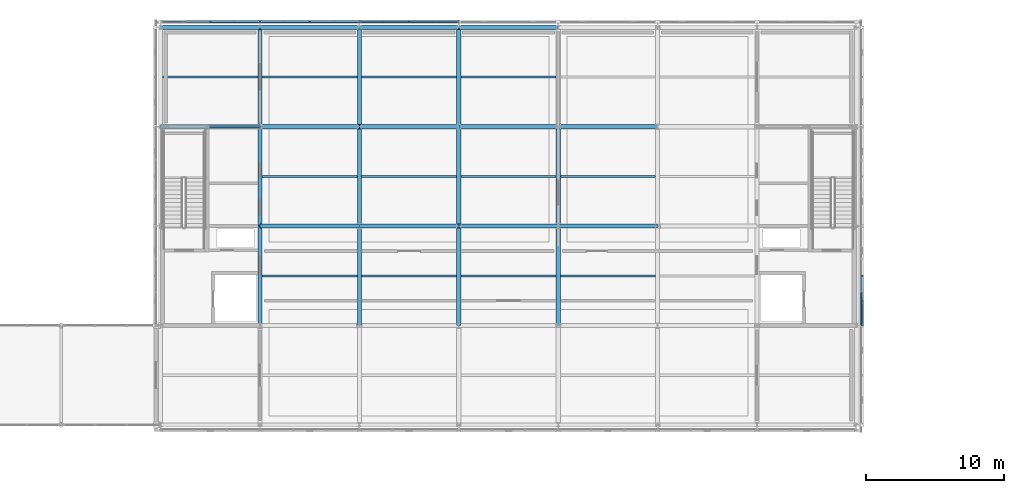
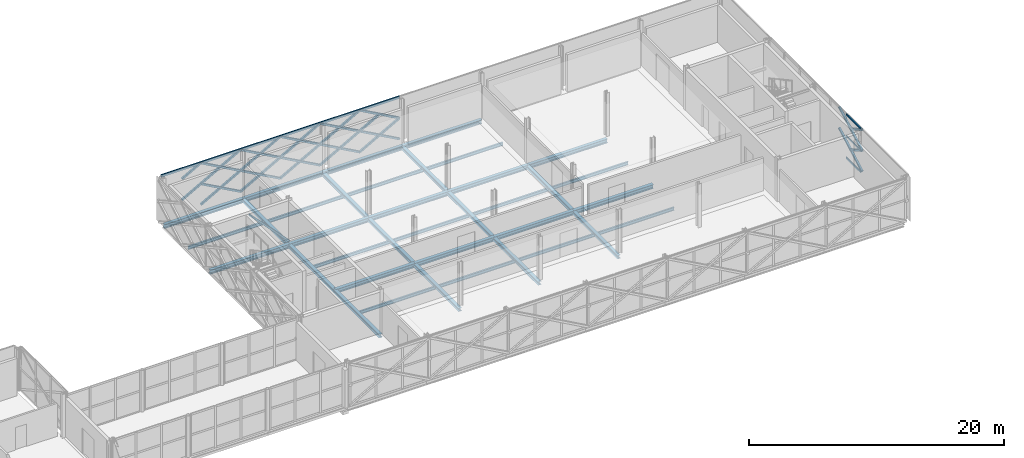
# One storey, part 55 of 103: 42 members, 36 beams, 1 element without a shape of its own.
"""IFC4 building model written with IfcOpenShell, lengths in metres."""

from ifc_helpers import new_model, si_unit, direction, frame, origin, origin_2d, place, context, subcontext, project, spatial, rectangle, hollow_rectangle, i_section, extrude, material, material_profile, profile_set, type_object, element, aggregate, save


model = new_model("IFC4")

# Units and contexts
model_context = context("Model", 3, precision=1e-05, world=origin(), true_north=direction((0.0, 1.0)))
body_context = subcontext(model_context, "Body", "Model", "MODEL_VIEW")
ifc_project = project(units=[si_unit("LENGTHUNIT", "METRE"), si_unit("AREAUNIT", "SQUARE_METRE"), si_unit("VOLUMEUNIT", "CUBIC_METRE"), si_unit("PLANEANGLEUNIT", "RADIAN"), si_unit("MASSUNIT", "GRAM", prefix="KILO")], contexts=[model_context])

# Site, building, storey
site_placement = place(None, origin())
site = spatial("IfcSite", under=ifc_project, at=site_placement, CompositionType="ELEMENT")
building_placement = place(site_placement, origin())
building = spatial("IfcBuilding", under=site, at=building_placement, Name="Zlatovets Crest Museum", CompositionType="ELEMENT")
storey_placement = place(building_placement, frame((0.0, 0.0, 12.89990234375)))
storey = spatial("IfcBuildingStorey", under=building, at=storey_placement, Name="L03", CompositionType="ELEMENT", Elevation=12.89990234375)

# Beams
ifc_material_1 = material(Name="Structural steel S355J2", Category="steel")
ifc_material_profile_1 = material_profile(ifc_material_1, i_section(OverallWidth=0.300048828125, OverallDepth=0.389892578125, WebThickness=0.010986328125, FlangeThickness=0.01904296875, FilletRadius=0.027099609375, at=origin_2d()), Name="HEA 400")
ifc_profile_set_1 = profile_set([ifc_material_profile_1], Name="Structural steel S355J2")
beam_type_1 = type_object("IfcBeamType", Name="Beam_B-02", PredefinedType="BEAM", material=ifc_profile_set_1)
for number, where, z_axis, x_axis, name in (
    (1, (64.800048828125, 100.800048828125, -0.434814453125), (1.0, 0.0, 0.0), (0.0, 1.0, 0.0), "V1 L03 Primary Girder B-02"),
    (2, (72.0, 100.800048828125, -0.434814453125), (1.0, 0.0, 0.0), (0.0, 1.0, 0.0), "V1 L03 Primary Girder B-02"),
    (3, (79.199951171875, 100.800048828125, -0.434814453125), (1.0, 0.0, 0.0), (0.0, 1.0, 0.0), "V1 L03 Primary Girder B-02"),
):
    element("IfcBeam", number, at=place(storey_placement, frame(where, z_axis=z_axis, x_axis=x_axis)), inside=storey, type_object=beam_type_1, Name=name, PredefinedType="BEAM", context=body_context, shape_type="SweptSolid", body=[
        extrude(i_section(OverallWidth=0.300048828125, OverallDepth=0.389892578125, WebThickness=0.010986328125, FlangeThickness=0.01904296875, FilletRadius=0.027099609375, at=origin_2d()), origin(), (0.0, 0.0, 1.0), 7.199951171875),
    ])
beam_1_placement = place(storey_placement, frame((86.39990234375, 100.800048828125, -0.434814453125), z_axis=(1.0, 0.0, 0.0), x_axis=(0.0, 1.0, 0.0)))
element("IfcBeam", 4, at=beam_1_placement, inside=storey, type_object=beam_type_1, Name="V1 L03 Primary Girder B-02", PredefinedType="BEAM", context=body_context, shape_type="SweptSolid", body=[
    extrude(i_section(OverallWidth=0.300048828125, OverallDepth=0.389892578125, WebThickness=0.010986328125, FlangeThickness=0.01904296875, FilletRadius=0.027099609375, at=origin_2d()), origin(), (0.0, 0.0, 1.0), 7.2001953125),
])
for number, where, z_axis, x_axis, name in (
    (5, (57.60009765625, 108.0, -0.434814453125), (1.0, 0.0, 0.0), (0.0, 1.0, 0.0), "V1 L03 Primary Girder B-02"),
    (6, (64.800048828125, 108.0, -0.434814453125), (1.0, 0.0, 0.0), (0.0, 1.0, 0.0), "V1 L03 Primary Girder B-02"),
    (7, (72.0, 108.0, -0.434814453125), (1.0, 0.0, 0.0), (0.0, 1.0, 0.0), "V1 L03 Primary Girder B-02"),
    (8, (79.199951171875, 108.0, -0.434814453125), (1.0, 0.0, 0.0), (0.0, 1.0, 0.0), "V1 L03 Primary Girder B-02"),
):
    element("IfcBeam", number, at=place(storey_placement, frame(where, z_axis=z_axis, x_axis=x_axis)), inside=storey, type_object=beam_type_1, Name=name, PredefinedType="BEAM", context=body_context, shape_type="SweptSolid", body=[
        extrude(i_section(OverallWidth=0.300048828125, OverallDepth=0.389892578125, WebThickness=0.010986328125, FlangeThickness=0.01904296875, FilletRadius=0.027099609375, at=origin_2d()), origin(), (0.0, 0.0, 1.0), 7.199951171875),
    ])
beam_2_placement = place(storey_placement, frame((86.39990234375, 108.0, -0.434814453125), z_axis=(1.0, 0.0, 0.0), x_axis=(0.0, 1.0, 0.0)))
element("IfcBeam", 9, at=beam_2_placement, inside=storey, type_object=beam_type_1, Name="V1 L03 Primary Girder B-02", PredefinedType="BEAM", context=body_context, shape_type="SweptSolid", body=[
    extrude(i_section(OverallWidth=0.300048828125, OverallDepth=0.389892578125, WebThickness=0.010986328125, FlangeThickness=0.01904296875, FilletRadius=0.027099609375, at=origin_2d()), origin(), (0.0, 0.0, 1.0), 7.2001953125),
])
for number, where, z_axis, x_axis, name in (
    (10, (57.60009765625, 115.199951171875, -0.434814453125), (1.0, 0.0, 0.0), (0.0, 1.0, 0.0), "V1 L03 Primary Girder B-02"),
    (11, (64.800048828125, 115.199951171875, -0.434814453125), (1.0, 0.0, 0.0), (0.0, 1.0, 0.0), "V1 L03 Primary Girder B-02"),
    (12, (72.0, 115.199951171875, -0.434814453125), (1.0, 0.0, 0.0), (0.0, 1.0, 0.0), "V1 L03 Primary Girder B-02"),
    (13, (79.199951171875, 115.199951171875, -0.434814453125), (1.0, 0.0, 0.0), (0.0, 1.0, 0.0), "V1 L03 Primary Girder B-02"),
):
    element("IfcBeam", number, at=place(storey_placement, frame(where, z_axis=z_axis, x_axis=x_axis)), inside=storey, type_object=beam_type_1, Name=name, PredefinedType="BEAM", context=body_context, shape_type="SweptSolid", body=[
        extrude(i_section(OverallWidth=0.300048828125, OverallDepth=0.389892578125, WebThickness=0.010986328125, FlangeThickness=0.01904296875, FilletRadius=0.027099609375, at=origin_2d()), origin(), (0.0, 0.0, 1.0), 7.199951171875),
    ])
ifc_material_profile_2 = material_profile(ifc_material_1, i_section(OverallWidth=0.300048828125, OverallDepth=0.31005859375, WebThickness=0.009033203125, FlangeThickness=0.015380859375, FilletRadius=0.027099609375, at=origin_2d()), Name="HEA 320")
ifc_profile_set_2 = profile_set([ifc_material_profile_2], Name="Structural steel S355J2")
beam_type_2 = type_object("IfcBeamType", Name="Beam_B-04", PredefinedType="BEAM", material=ifc_profile_set_2)
for number, where, z_axis, x_axis, name in (
    (14, (64.800048828125, 93.60009765625, -0.39501953125), (0.0, 1.0, 0.0), (-1.0, 0.0, 0.0), "V1 L03 Grid Beam B-04"),
    (15, (64.800048828125, 100.800048828125, -0.39501953125), (0.0, 1.0, 0.0), (-1.0, 0.0, 0.0), "V1 L03 Grid Beam B-04"),
    (16, (64.800048828125, 108.0, -0.39501953125), (0.0, 1.0, 0.0), (-1.0, 0.0, 0.0), "V1 L03 Grid Beam B-04"),
    (17, (72.0, 93.60009765625, -0.39501953125), (0.0, 1.0, 0.0), (-1.0, 0.0, 0.0), "V1 L03 Grid Beam B-04"),
    (18, (72.0, 100.800048828125, -0.39501953125), (0.0, 1.0, 0.0), (-1.0, 0.0, 0.0), "V1 L03 Grid Beam B-04"),
    (19, (72.0, 108.0, -0.39501953125), (0.0, 1.0, 0.0), (-1.0, 0.0, 0.0), "V1 L03 Grid Beam B-04"),
    (20, (79.199951171875, 93.60009765625, -0.39501953125), (0.0, 1.0, 0.0), (-1.0, 0.0, 0.0), "V1 L03 Grid Beam B-04"),
    (21, (79.199951171875, 100.800048828125, -0.39501953125), (0.0, 1.0, 0.0), (-1.0, 0.0, 0.0), "V1 L03 Grid Beam B-04"),
    (22, (79.199951171875, 108.0, -0.39501953125), (0.0, 1.0, 0.0), (-1.0, 0.0, 0.0), "V1 L03 Grid Beam B-04"),
    (23, (86.39990234375, 93.60009765625, -0.39501953125), (0.0, 1.0, 0.0), (-1.0, 0.0, 0.0), "V1 L03 Grid Beam B-04"),
    (24, (86.39990234375, 100.800048828125, -0.39501953125), (0.0, 1.0, 0.0), (-1.0, 0.0, 0.0), "V1 L03 Grid Beam B-04"),
):
    element("IfcBeam", number, at=place(storey_placement, frame(where, z_axis=z_axis, x_axis=x_axis)), inside=storey, type_object=beam_type_2, Name=name, PredefinedType="BEAM", context=body_context, shape_type="SweptSolid", body=[
        extrude(i_section(OverallWidth=0.300048828125, OverallDepth=0.31005859375, WebThickness=0.009033203125, FlangeThickness=0.015380859375, FilletRadius=0.027099609375, at=origin_2d()), origin(), (0.0, 0.0, 1.0), 7.199951171875),
    ])
ifc_material_profile_3 = material_profile(ifc_material_1, i_section(OverallWidth=0.14990234375, OverallDepth=0.300048828125, WebThickness=0.007080078125, FlangeThickness=0.0107421875, FilletRadius=0.014892578125, at=origin_2d()), Name="IPE 300")
ifc_profile_set_3 = profile_set([ifc_material_profile_3], Name="Structural steel S355J2")
beam_type_3 = type_object("IfcBeamType", Name="Beam_J-02", PredefinedType="JOIST", material=ifc_profile_set_3)
beam_3_placement = place(storey_placement, frame((57.75, 111.60009765625, -0.389892578125), z_axis=(1.0, 0.0, 0.0), x_axis=(0.0, 1.0, 0.0)))
element("IfcBeam", 25, at=beam_3_placement, inside=storey, type_object=beam_type_3, Name="V1 L03 Composite Joist J-02", PredefinedType="JOIST", context=body_context, shape_type="SweptSolid", body=[
    extrude(i_section(OverallWidth=0.14990234375, OverallDepth=0.300048828125, WebThickness=0.007080078125, FlangeThickness=0.0107421875, FilletRadius=0.014892578125, at=origin_2d()), origin(), (0.0, 0.0, 1.0), 6.89990234375),
])
for number, where, z_axis, x_axis, name in (
    (26, (64.949951171875, 97.199951171875, -0.389892578125), (1.0, 0.0, 0.0), (0.0, 1.0, 0.0), "V1 L03 Composite Joist J-02"),
    (27, (64.949951171875, 104.39990234375, -0.389892578125), (1.0, 0.0, 0.0), (0.0, 1.0, 0.0), "V1 L03 Composite Joist J-02"),
    (28, (64.949951171875, 111.60009765625, -0.389892578125), (1.0, 0.0, 0.0), (0.0, 1.0, 0.0), "V1 L03 Composite Joist J-02"),
    (29, (72.14990234375, 97.199951171875, -0.389892578125), (1.0, 0.0, 0.0), (0.0, 1.0, 0.0), "V1 L03 Composite Joist J-02"),
    (30, (72.14990234375, 104.39990234375, -0.389892578125), (1.0, 0.0, 0.0), (0.0, 1.0, 0.0), "V1 L03 Composite Joist J-02"),
    (31, (72.14990234375, 111.60009765625, -0.389892578125), (1.0, 0.0, 0.0), (0.0, 1.0, 0.0), "V1 L03 Composite Joist J-02"),
):
    element("IfcBeam", number, at=place(storey_placement, frame(where, z_axis=z_axis, x_axis=x_axis)), inside=storey, type_object=beam_type_3, Name=name, PredefinedType="JOIST", context=body_context, shape_type="SweptSolid", body=[
        extrude(i_section(OverallWidth=0.14990234375, OverallDepth=0.300048828125, WebThickness=0.007080078125, FlangeThickness=0.0107421875, FilletRadius=0.014892578125, at=origin_2d()), origin(), (0.0, 0.0, 1.0), 6.900146484375),
    ])
for number, where, z_axis, x_axis, name in (
    (32, (79.35009765625, 97.199951171875, -0.389892578125), (1.0, 0.0, 0.0), (0.0, 1.0, 0.0), "V1 L03 Composite Joist J-02"),
    (33, (79.35009765625, 104.39990234375, -0.389892578125), (1.0, 0.0, 0.0), (0.0, 1.0, 0.0), "V1 L03 Composite Joist J-02"),
    (34, (79.35009765625, 111.60009765625, -0.389892578125), (1.0, 0.0, 0.0), (0.0, 1.0, 0.0), "V1 L03 Composite Joist J-02"),
    (35, (86.550048828125, 97.199951171875, -0.389892578125), (1.0, 0.0, 0.0), (0.0, 1.0, 0.0), "V1 L03 Composite Joist J-02"),
    (36, (86.550048828125, 104.39990234375, -0.389892578125), (1.0, 0.0, 0.0), (0.0, 1.0, 0.0), "V1 L03 Composite Joist J-02"),
):
    element("IfcBeam", number, at=place(storey_placement, frame(where, z_axis=z_axis, x_axis=x_axis)), inside=storey, type_object=beam_type_3, Name=name, PredefinedType="JOIST", context=body_context, shape_type="SweptSolid", body=[
        extrude(i_section(OverallWidth=0.14990234375, OverallDepth=0.300048828125, WebThickness=0.007080078125, FlangeThickness=0.0107421875, FilletRadius=0.014892578125, at=origin_2d()), origin(), (0.0, 0.0, 1.0), 6.89990234375),
    ])

# Curtain wall, members
ifc_material_2 = material(Name="Bronze-anodised aluminium and low-E triple glass", Category="aluminium")
curtain_wall_type = type_object("IfcCurtainWallType", Name="CW_CW-V1-L03-M0", PredefinedType="NOTDEFINED", material=ifc_material_2)
curtain_wall_placement = place(storey_placement, origin())
curtain_wall = element("IfcCurtainWall", 37, at=curtain_wall_placement, inside=storey, type_object=curtain_wall_type, Name="V1 L03 Expressed Core Glazed Facade", PredefinedType="NOTDEFINED")
ifc_material_3 = material(Name="Bronze-anodised aluminium EN AW-6060", Category="aluminium")
ifc_material_profile_4 = material_profile(ifc_material_3, rectangle(XDim=0.080078125, YDim=0.159912109375, at=origin_2d()), Name="ALU 80x160")
ifc_profile_set_4 = profile_set([ifc_material_profile_4], Name="Bronze-anodised aluminium EN AW-6060")
member_type_1 = type_object("IfcMemberType", Name="CWTrans_T1", PredefinedType="USERDEFINED", material=ifc_profile_set_4)
member_1_placement = place(storey_placement, frame((108.340087890625, 93.659912109375, 0.030029296875), z_axis=(0.0, 1.0, 0.0), x_axis=(-1.0, 0.0, 0.0)))
member_1 = element("IfcMember", 38, at=member_1_placement, type_object=member_type_1, Name="CW-V1-L03-M0 transom 1.1", ObjectType="TRANSOM", PredefinedType="USERDEFINED", context=body_context, shape_type="SweptSolid", body=[
    extrude(rectangle(XDim=0.080078125, YDim=0.159912109375, at=origin_2d()), origin(), (0.0, 0.0, 1.0), 2.31005859375),
])
member_2_placement = place(storey_placement, frame((108.340087890625, 93.659912109375, 2.10009765625), z_axis=(0.0, 1.0, 0.0), x_axis=(-1.0, 0.0, 0.0)))
member_2 = element("IfcMember", 39, at=member_2_placement, type_object=member_type_1, Name="CW-V1-L03-M0 transom 1.2", ObjectType="TRANSOM", PredefinedType="USERDEFINED", context=body_context, shape_type="SweptSolid", body=[
    extrude(rectangle(XDim=0.080078125, YDim=0.159912109375, at=origin_2d()), origin(), (0.0, 0.0, 1.0), 2.31005859375),
])
member_3_placement = place(storey_placement, frame((108.340087890625, 93.659912109375, 4.170166015625), z_axis=(0.0, 1.0, 0.0), x_axis=(-1.0, 0.0, 0.0)))
member_3 = element("IfcMember", 40, at=member_3_placement, type_object=member_type_1, Name="CW-V1-L03-M0 transom 1.3", ObjectType="TRANSOM", PredefinedType="USERDEFINED", context=body_context, shape_type="SweptSolid", body=[
    extrude(rectangle(XDim=0.080078125, YDim=0.159912109375, at=origin_2d()), origin(), (0.0, 0.0, 1.0), 2.31005859375),
])
aggregate(curtain_wall, [member_1, member_2, member_3])

# Members
ifc_material_4 = material(Name="Weathering bronze-steel S355J2W", Category="steel")
ifc_material_profile_5 = material_profile(ifc_material_4, hollow_rectangle(XDim=0.179931640625, YDim=0.179931640625, WallThickness=0.010009765625, InnerFilletRadius=0.010009765625, OuterFilletRadius=0.02001953125, at=origin_2d()), Name="SHS 180x180x10.0")
ifc_profile_set_5 = profile_set([ifc_material_profile_5], Name="Weathering bronze-steel S355J2W")
member_type_2 = type_object("IfcMemberType", Name="Lattice_XL-01", PredefinedType="BRACE", material=ifc_profile_set_5)
member_4_placement = place(storey_placement, frame((108.419921875, 93.60009765625, 0.10009765625), z_axis=(0.0, 0.874148886685, 0.485658031857), x_axis=(-1.0, 0.0, 0.0)))
element("IfcMember", 41, at=member_4_placement, inside=storey, type_object=member_type_2, Name="Continuous Bronze Lattice Diagonal", PredefinedType="BRACE", context=body_context, shape_type="SweptSolid", body=[
    extrude(hollow_rectangle(XDim=0.179931640625, YDim=0.179931640625, WallThickness=0.010009765625, InnerFilletRadius=0.010009765625, OuterFilletRadius=0.02001953125, at=origin_2d()), origin(), (0.0, 0.0, 1.0), 4.1181640625),
])
member_5_placement = place(storey_placement, frame((108.419921875, 93.60009765625, 2.10009765625), z_axis=(0.0, 0.874139684676, -0.48567459443), x_axis=(-1.0, 0.0, 0.0)))
element("IfcMember", 42, at=member_5_placement, inside=storey, type_object=member_type_2, Name="Split Crossing Bronze Lattice Diagonal Upper", PredefinedType="BRACE", context=body_context, shape_type="SweptSolid", body=[
    extrude(hollow_rectangle(XDim=0.179931640625, YDim=0.179931640625, WallThickness=0.010009765625, InnerFilletRadius=0.010009765625, OuterFilletRadius=0.02001953125, at=origin_2d()), origin(), (0.0, 0.0, 1.0), 1.9638671875),
])
member_6_placement = place(storey_placement, frame((108.419921875, 93.60009765625, 2.10009765625), z_axis=(0.0, 0.874148886685, 0.485658031857), x_axis=(-1.0, 0.0, 0.0)))
element("IfcMember", 43, at=member_6_placement, inside=storey, type_object=member_type_2, Name="Continuous Bronze Lattice Diagonal", PredefinedType="BRACE", context=body_context, shape_type="SweptSolid", body=[
    extrude(hollow_rectangle(XDim=0.179931640625, YDim=0.179931640625, WallThickness=0.010009765625, InnerFilletRadius=0.010009765625, OuterFilletRadius=0.02001953125, at=origin_2d()), origin(), (0.0, 0.0, 1.0), 4.1181640625),
])
member_7_placement = place(storey_placement, frame((108.419921875, 93.60009765625, 4.10009765625), z_axis=(0.0, 0.874139684676, -0.48567459443), x_axis=(-1.0, 0.0, 0.0)))
element("IfcMember", 44, at=member_7_placement, inside=storey, type_object=member_type_2, Name="Split Crossing Bronze Lattice Diagonal Upper", PredefinedType="BRACE", context=body_context, shape_type="SweptSolid", body=[
    extrude(hollow_rectangle(XDim=0.179931640625, YDim=0.179931640625, WallThickness=0.010009765625, InnerFilletRadius=0.010009765625, OuterFilletRadius=0.02001953125, at=origin_2d()), origin(), (0.0, 0.0, 1.0), 1.9638671875),
])
member_8_placement = place(storey_placement, frame((79.199951171875, 115.6201171875, 0.10009765625), z_axis=(-0.874148886685, 0.0, 0.485658031857), x_axis=(0.0, -1.0, 0.0)))
element("IfcMember", 45, at=member_8_placement, inside=storey, type_object=member_type_2, Name="Continuous Bronze Lattice Diagonal", PredefinedType="BRACE", context=body_context, shape_type="SweptSolid", body=[
    extrude(hollow_rectangle(XDim=0.179931640625, YDim=0.179931640625, WallThickness=0.010009765625, InnerFilletRadius=0.010009765625, OuterFilletRadius=0.02001953125, at=origin_2d()), origin(), (0.0, 0.0, 1.0), 4.1181640625),
])
member_9_placement = place(storey_placement, frame((79.199951171875, 115.6201171875, 2.10009765625), z_axis=(-0.874169001841, 0.0, -0.485621824284), x_axis=(0.0, -1.0, 0.0)))
element("IfcMember", 46, at=member_9_placement, inside=storey, type_object=member_type_2, Name="Split Crossing Bronze Lattice Diagonal Upper", PredefinedType="BRACE", context=body_context, shape_type="SweptSolid", body=[
    extrude(hollow_rectangle(XDim=0.179931640625, YDim=0.179931640625, WallThickness=0.010009765625, InnerFilletRadius=0.010009765625, OuterFilletRadius=0.02001953125, at=origin_2d()), origin(), (0.0, 0.0, 1.0), 1.964111328125),
])
member_10_placement = place(storey_placement, frame((77.31689453125, 115.6201171875, 1.053955078125), z_axis=(-0.874139684676, 0.0, -0.48567459443), x_axis=(0.0, -1.0, 0.0)))
element("IfcMember", 47, at=member_10_placement, inside=storey, type_object=member_type_2, Name="Split Crossing Bronze Lattice Diagonal Lower", PredefinedType="BRACE", context=body_context, shape_type="SweptSolid", body=[
    extrude(hollow_rectangle(XDim=0.179931640625, YDim=0.179931640625, WallThickness=0.010009765625, InnerFilletRadius=0.010009765625, OuterFilletRadius=0.02001953125, at=origin_2d()), origin(), (0.0, 0.0, 1.0), 1.9638671875),
])
member_11_placement = place(storey_placement, frame((75.60009765625, 115.6201171875, 0.10009765625), z_axis=(-0.874162868644, 0.0, 0.485632864501), x_axis=(0.0, -1.0, 0.0)))
element("IfcMember", 48, at=member_11_placement, inside=storey, type_object=member_type_2, Name="Continuous Bronze Lattice Diagonal", PredefinedType="BRACE", context=body_context, shape_type="SweptSolid", body=[
    extrude(hollow_rectangle(XDim=0.179931640625, YDim=0.179931640625, WallThickness=0.010009765625, InnerFilletRadius=0.010009765625, OuterFilletRadius=0.02001953125, at=origin_2d()), origin(), (0.0, 0.0, 1.0), 4.118408203125),
])
for number, where, z_axis, x_axis, name in (
    (49, (75.60009765625, 115.6201171875, 2.10009765625), (-0.874169001841, 0.0, -0.485621824284), (0.0, -1.0, 0.0), "Split Crossing Bronze Lattice Diagonal Upper"),
    (50, (73.717041015625, 115.6201171875, 1.053955078125), (-0.874169001841, 0.0, -0.485621824284), (0.0, -1.0, 0.0), "Split Crossing Bronze Lattice Diagonal Lower"),
):
    element("IfcMember", number, at=place(storey_placement, frame(where, z_axis=z_axis, x_axis=x_axis)), inside=storey, type_object=member_type_2, Name=name, PredefinedType="BRACE", context=body_context, shape_type="SweptSolid", body=[
        extrude(hollow_rectangle(XDim=0.179931640625, YDim=0.179931640625, WallThickness=0.010009765625, InnerFilletRadius=0.010009765625, OuterFilletRadius=0.02001953125, at=origin_2d()), origin(), (0.0, 0.0, 1.0), 1.964111328125),
    ])
member_12_placement = place(storey_placement, frame((79.199951171875, 115.6201171875, 2.10009765625), z_axis=(-0.874148886685, 0.0, 0.485658031857), x_axis=(0.0, -1.0, 0.0)))
element("IfcMember", 51, at=member_12_placement, inside=storey, type_object=member_type_2, Name="Continuous Bronze Lattice Diagonal", PredefinedType="BRACE", context=body_context, shape_type="SweptSolid", body=[
    extrude(hollow_rectangle(XDim=0.179931640625, YDim=0.179931640625, WallThickness=0.010009765625, InnerFilletRadius=0.010009765625, OuterFilletRadius=0.02001953125, at=origin_2d()), origin(), (0.0, 0.0, 1.0), 4.1181640625),
])
member_13_placement = place(storey_placement, frame((77.31689453125, 115.6201171875, 3.053955078125), z_axis=(-0.874139684676, 0.0, -0.48567459443), x_axis=(0.0, -1.0, 0.0)))
element("IfcMember", 52, at=member_13_placement, inside=storey, type_object=member_type_2, Name="Split Crossing Bronze Lattice Diagonal Lower", PredefinedType="BRACE", context=body_context, shape_type="SweptSolid", body=[
    extrude(hollow_rectangle(XDim=0.179931640625, YDim=0.179931640625, WallThickness=0.010009765625, InnerFilletRadius=0.010009765625, OuterFilletRadius=0.02001953125, at=origin_2d()), origin(), (0.0, 0.0, 1.0), 1.9638671875),
])
member_14_placement = place(storey_placement, frame((75.60009765625, 115.6201171875, 2.10009765625), z_axis=(-0.874162868644, 0.0, 0.485632864501), x_axis=(0.0, -1.0, 0.0)))
element("IfcMember", 53, at=member_14_placement, inside=storey, type_object=member_type_2, Name="Continuous Bronze Lattice Diagonal", PredefinedType="BRACE", context=body_context, shape_type="SweptSolid", body=[
    extrude(hollow_rectangle(XDim=0.179931640625, YDim=0.179931640625, WallThickness=0.010009765625, InnerFilletRadius=0.010009765625, OuterFilletRadius=0.02001953125, at=origin_2d()), origin(), (0.0, 0.0, 1.0), 4.118408203125),
])
for number, where, z_axis, x_axis, name in (
    (54, (75.60009765625, 115.6201171875, 4.10009765625), (-0.874169001841, 0.0, -0.485621824284), (0.0, -1.0, 0.0), "Split Crossing Bronze Lattice Diagonal Upper"),
    (55, (73.717041015625, 115.6201171875, 3.053955078125), (-0.874169001841, 0.0, -0.485621824284), (0.0, -1.0, 0.0), "Split Crossing Bronze Lattice Diagonal Lower"),
):
    element("IfcMember", number, at=place(storey_placement, frame(where, z_axis=z_axis, x_axis=x_axis)), inside=storey, type_object=member_type_2, Name=name, PredefinedType="BRACE", context=body_context, shape_type="SweptSolid", body=[
        extrude(hollow_rectangle(XDim=0.179931640625, YDim=0.179931640625, WallThickness=0.010009765625, InnerFilletRadius=0.010009765625, OuterFilletRadius=0.02001953125, at=origin_2d()), origin(), (0.0, 0.0, 1.0), 1.964111328125),
    ])
member_15_placement = place(storey_placement, frame((72.0, 115.6201171875, 0.10009765625), z_axis=(-0.874162868644, 0.0, 0.485632864501), x_axis=(0.0, -1.0, 0.0)))
element("IfcMember", 56, at=member_15_placement, inside=storey, type_object=member_type_2, Name="Continuous Bronze Lattice Diagonal", PredefinedType="BRACE", context=body_context, shape_type="SweptSolid", body=[
    extrude(hollow_rectangle(XDim=0.179931640625, YDim=0.179931640625, WallThickness=0.010009765625, InnerFilletRadius=0.010009765625, OuterFilletRadius=0.02001953125, at=origin_2d()), origin(), (0.0, 0.0, 1.0), 4.118408203125),
])
for number, where, z_axis, x_axis, name in (
    (57, (72.0, 115.6201171875, 2.10009765625), (-0.874169001841, 0.0, -0.485621824284), (0.0, -1.0, 0.0), "Split Crossing Bronze Lattice Diagonal Upper"),
    (58, (70.116943359375, 115.6201171875, 1.053955078125), (-0.874169001841, 0.0, -0.485621824284), (0.0, -1.0, 0.0), "Split Crossing Bronze Lattice Diagonal Lower"),
):
    element("IfcMember", number, at=place(storey_placement, frame(where, z_axis=z_axis, x_axis=x_axis)), inside=storey, type_object=member_type_2, Name=name, PredefinedType="BRACE", context=body_context, shape_type="SweptSolid", body=[
        extrude(hollow_rectangle(XDim=0.179931640625, YDim=0.179931640625, WallThickness=0.010009765625, InnerFilletRadius=0.010009765625, OuterFilletRadius=0.02001953125, at=origin_2d()), origin(), (0.0, 0.0, 1.0), 1.964111328125),
    ])
member_16_placement = place(storey_placement, frame((68.39990234375, 115.6201171875, 0.10009765625), z_axis=(-0.874148886685, 0.0, 0.485658031857), x_axis=(0.0, -1.0, 0.0)))
element("IfcMember", 59, at=member_16_placement, inside=storey, type_object=member_type_2, Name="Continuous Bronze Lattice Diagonal", PredefinedType="BRACE", context=body_context, shape_type="SweptSolid", body=[
    extrude(hollow_rectangle(XDim=0.179931640625, YDim=0.179931640625, WallThickness=0.010009765625, InnerFilletRadius=0.010009765625, OuterFilletRadius=0.02001953125, at=origin_2d()), origin(), (0.0, 0.0, 1.0), 4.1181640625),
])
member_17_placement = place(storey_placement, frame((68.39990234375, 115.6201171875, 2.10009765625), z_axis=(-0.874139684676, 0.0, -0.48567459443), x_axis=(0.0, -1.0, 0.0)))
element("IfcMember", 60, at=member_17_placement, inside=storey, type_object=member_type_2, Name="Split Crossing Bronze Lattice Diagonal Upper", PredefinedType="BRACE", context=body_context, shape_type="SweptSolid", body=[
    extrude(hollow_rectangle(XDim=0.179931640625, YDim=0.179931640625, WallThickness=0.010009765625, InnerFilletRadius=0.010009765625, OuterFilletRadius=0.02001953125, at=origin_2d()), origin(), (0.0, 0.0, 1.0), 1.9638671875),
])
member_18_placement = place(storey_placement, frame((66.51708984375, 115.6201171875, 1.053955078125), z_axis=(-0.874169001841, 0.0, -0.485621824284), x_axis=(0.0, -1.0, 0.0)))
element("IfcMember", 61, at=member_18_placement, inside=storey, type_object=member_type_2, Name="Split Crossing Bronze Lattice Diagonal Lower", PredefinedType="BRACE", context=body_context, shape_type="SweptSolid", body=[
    extrude(hollow_rectangle(XDim=0.179931640625, YDim=0.179931640625, WallThickness=0.010009765625, InnerFilletRadius=0.010009765625, OuterFilletRadius=0.02001953125, at=origin_2d()), origin(), (0.0, 0.0, 1.0), 1.964111328125),
])
member_19_placement = place(storey_placement, frame((72.0, 115.6201171875, 2.10009765625), z_axis=(-0.874162868644, 0.0, 0.485632864501), x_axis=(0.0, -1.0, 0.0)))
element("IfcMember", 62, at=member_19_placement, inside=storey, type_object=member_type_2, Name="Continuous Bronze Lattice Diagonal", PredefinedType="BRACE", context=body_context, shape_type="SweptSolid", body=[
    extrude(hollow_rectangle(XDim=0.179931640625, YDim=0.179931640625, WallThickness=0.010009765625, InnerFilletRadius=0.010009765625, OuterFilletRadius=0.02001953125, at=origin_2d()), origin(), (0.0, 0.0, 1.0), 4.118408203125),
])
for number, where, z_axis, x_axis, name in (
    (63, (72.0, 115.6201171875, 4.10009765625), (-0.874169001841, 0.0, -0.485621824284), (0.0, -1.0, 0.0), "Split Crossing Bronze Lattice Diagonal Upper"),
    (64, (70.116943359375, 115.6201171875, 3.053955078125), (-0.874169001841, 0.0, -0.485621824284), (0.0, -1.0, 0.0), "Split Crossing Bronze Lattice Diagonal Lower"),
):
    element("IfcMember", number, at=place(storey_placement, frame(where, z_axis=z_axis, x_axis=x_axis)), inside=storey, type_object=member_type_2, Name=name, PredefinedType="BRACE", context=body_context, shape_type="SweptSolid", body=[
        extrude(hollow_rectangle(XDim=0.179931640625, YDim=0.179931640625, WallThickness=0.010009765625, InnerFilletRadius=0.010009765625, OuterFilletRadius=0.02001953125, at=origin_2d()), origin(), (0.0, 0.0, 1.0), 1.964111328125),
    ])
member_20_placement = place(storey_placement, frame((68.39990234375, 115.6201171875, 2.10009765625), z_axis=(-0.874148886685, 0.0, 0.485658031857), x_axis=(0.0, -1.0, 0.0)))
element("IfcMember", 65, at=member_20_placement, inside=storey, type_object=member_type_2, Name="Continuous Bronze Lattice Diagonal", PredefinedType="BRACE", context=body_context, shape_type="SweptSolid", body=[
    extrude(hollow_rectangle(XDim=0.179931640625, YDim=0.179931640625, WallThickness=0.010009765625, InnerFilletRadius=0.010009765625, OuterFilletRadius=0.02001953125, at=origin_2d()), origin(), (0.0, 0.0, 1.0), 4.1181640625),
])
member_21_placement = place(storey_placement, frame((68.39990234375, 115.6201171875, 4.10009765625), z_axis=(-0.874139684676, 0.0, -0.48567459443), x_axis=(0.0, -1.0, 0.0)))
element("IfcMember", 66, at=member_21_placement, inside=storey, type_object=member_type_2, Name="Split Crossing Bronze Lattice Diagonal Upper", PredefinedType="BRACE", context=body_context, shape_type="SweptSolid", body=[
    extrude(hollow_rectangle(XDim=0.179931640625, YDim=0.179931640625, WallThickness=0.010009765625, InnerFilletRadius=0.010009765625, OuterFilletRadius=0.02001953125, at=origin_2d()), origin(), (0.0, 0.0, 1.0), 1.9638671875),
])
member_22_placement = place(storey_placement, frame((66.51708984375, 115.6201171875, 3.053955078125), z_axis=(-0.874169001841, 0.0, -0.485621824284), x_axis=(0.0, -1.0, 0.0)))
element("IfcMember", 67, at=member_22_placement, inside=storey, type_object=member_type_2, Name="Split Crossing Bronze Lattice Diagonal Lower", PredefinedType="BRACE", context=body_context, shape_type="SweptSolid", body=[
    extrude(hollow_rectangle(XDim=0.179931640625, YDim=0.179931640625, WallThickness=0.010009765625, InnerFilletRadius=0.010009765625, OuterFilletRadius=0.02001953125, at=origin_2d()), origin(), (0.0, 0.0, 1.0), 1.964111328125),
])
member_23_placement = place(storey_placement, frame((64.800048828125, 115.6201171875, 0.10009765625), z_axis=(-0.874162868644, 0.0, 0.485632864501), x_axis=(0.0, -1.0, 0.0)))
element("IfcMember", 68, at=member_23_placement, inside=storey, type_object=member_type_2, Name="Continuous Bronze Lattice Diagonal", PredefinedType="BRACE", context=body_context, shape_type="SweptSolid", body=[
    extrude(hollow_rectangle(XDim=0.179931640625, YDim=0.179931640625, WallThickness=0.010009765625, InnerFilletRadius=0.010009765625, OuterFilletRadius=0.02001953125, at=origin_2d()), origin(), (0.0, 0.0, 1.0), 4.118408203125),
])
for number, where, z_axis, x_axis, name in (
    (69, (64.800048828125, 115.6201171875, 2.10009765625), (-0.874169001841, 0.0, -0.485621824284), (0.0, -1.0, 0.0), "Split Crossing Bronze Lattice Diagonal Upper"),
    (70, (62.9169921875, 115.6201171875, 1.053955078125), (-0.874169001841, 0.0, -0.485621824284), (0.0, -1.0, 0.0), "Split Crossing Bronze Lattice Diagonal Lower"),
    (71, (61.199951171875, 115.6201171875, 2.10009765625), (-0.874169001841, 0.0, -0.485621824284), (0.0, -1.0, 0.0), "Split Crossing Bronze Lattice Diagonal Upper"),
):
    element("IfcMember", number, at=place(storey_placement, frame(where, z_axis=z_axis, x_axis=x_axis)), inside=storey, type_object=member_type_2, Name=name, PredefinedType="BRACE", context=body_context, shape_type="SweptSolid", body=[
        extrude(hollow_rectangle(XDim=0.179931640625, YDim=0.179931640625, WallThickness=0.010009765625, InnerFilletRadius=0.010009765625, OuterFilletRadius=0.02001953125, at=origin_2d()), origin(), (0.0, 0.0, 1.0), 1.964111328125),
    ])
member_24_placement = place(storey_placement, frame((64.800048828125, 115.6201171875, 2.10009765625), z_axis=(-0.874162868644, 0.0, 0.485632864501), x_axis=(0.0, -1.0, 0.0)))
element("IfcMember", 72, at=member_24_placement, inside=storey, type_object=member_type_2, Name="Continuous Bronze Lattice Diagonal", PredefinedType="BRACE", context=body_context, shape_type="SweptSolid", body=[
    extrude(hollow_rectangle(XDim=0.179931640625, YDim=0.179931640625, WallThickness=0.010009765625, InnerFilletRadius=0.010009765625, OuterFilletRadius=0.02001953125, at=origin_2d()), origin(), (0.0, 0.0, 1.0), 4.118408203125),
])
for number, where, z_axis, x_axis, name in (
    (73, (64.800048828125, 115.6201171875, 4.10009765625), (-0.874169001841, 0.0, -0.485621824284), (0.0, -1.0, 0.0), "Split Crossing Bronze Lattice Diagonal Upper"),
    (74, (62.9169921875, 115.6201171875, 3.053955078125), (-0.874169001841, 0.0, -0.485621824284), (0.0, -1.0, 0.0), "Split Crossing Bronze Lattice Diagonal Lower"),
    (75, (61.199951171875, 115.6201171875, 4.10009765625), (-0.874169001841, 0.0, -0.485621824284), (0.0, -1.0, 0.0), "Split Crossing Bronze Lattice Diagonal Upper"),
):
    element("IfcMember", number, at=place(storey_placement, frame(where, z_axis=z_axis, x_axis=x_axis)), inside=storey, type_object=member_type_2, Name=name, PredefinedType="BRACE", context=body_context, shape_type="SweptSolid", body=[
        extrude(hollow_rectangle(XDim=0.179931640625, YDim=0.179931640625, WallThickness=0.010009765625, InnerFilletRadius=0.010009765625, OuterFilletRadius=0.02001953125, at=origin_2d()), origin(), (0.0, 0.0, 1.0), 1.964111328125),
    ])
ifc_material_profile_6 = material_profile(ifc_material_4, hollow_rectangle(XDim=0.1201171875, YDim=0.239990234375, WallThickness=0.010009765625, InnerFilletRadius=0.010009765625, OuterFilletRadius=0.02001953125, at=origin_2d()), Name="RHS 120x240x10.0")
ifc_profile_set_6 = profile_set([ifc_material_profile_6], Name="Weathering bronze-steel S355J2W")
member_type_3 = type_object("IfcMemberType", Name="Lattice_XL-04", PredefinedType="CHORD", material=ifc_profile_set_6)
for number, where, z_axis, x_axis, name in (
    (76, (79.199951171875, 115.6201171875, 4.10009765625), (-1.0, 0.0, 0.0), (0.0, -1.0, 0.0), "Art Nouveau Woven Cage Collector Ring Chord"),
    (77, (72.0, 115.6201171875, 4.10009765625), (-1.0, 0.0, 0.0), (0.0, -1.0, 0.0), "Art Nouveau Woven Cage Collector Ring Chord"),
    (78, (64.800048828125, 115.6201171875, 4.10009765625), (-1.0, 0.0, 0.0), (0.0, -1.0, 0.0), "Art Nouveau Woven Cage Collector Ring Chord"),
):
    element("IfcMember", number, at=place(storey_placement, frame(where, z_axis=z_axis, x_axis=x_axis)), inside=storey, type_object=member_type_3, Name=name, PredefinedType="CHORD", context=body_context, shape_type="SweptSolid", body=[
        extrude(hollow_rectangle(XDim=0.1201171875, YDim=0.239990234375, WallThickness=0.010009765625, InnerFilletRadius=0.010009765625, OuterFilletRadius=0.02001953125, at=origin_2d()), origin(), (0.0, 0.0, 1.0), 7.199951171875),
    ])
ifc_material_profile_7 = material_profile(ifc_material_1, hollow_rectangle(XDim=0.159912109375, YDim=0.159912109375, WallThickness=0.010009765625, InnerFilletRadius=0.010009765625, OuterFilletRadius=0.02001953125, at=origin_2d()), Name="SHS 160x160x10.0")
ifc_profile_set_7 = profile_set([ifc_material_profile_7], Name="Structural steel S355J2")
member_type_4 = type_object("IfcMemberType", Name="Member_BR-03", PredefinedType="BRACE", material=ifc_profile_set_7)
member_25_placement = place(storey_placement, frame((64.800048828125, 108.0, 0.0), z_axis=(-0.692541604294, 0.0, 0.721377935844), x_axis=(0.0, -1.0, 0.0)))
element("IfcMember", 79, at=member_25_placement, inside=storey, type_object=member_type_4, Name="V1 L03 Concentric Seismic Brace", PredefinedType="BRACE", context=body_context, shape_type="SweptSolid", body=[
    extrude(hollow_rectangle(XDim=0.159912109375, YDim=0.159912109375, WallThickness=0.010009765625, InnerFilletRadius=0.010009765625, OuterFilletRadius=0.02001953125, at=origin_2d()), origin(), (0.0, 0.0, 1.0), 5.198486328125),
])

save(model, "model.ifc")
